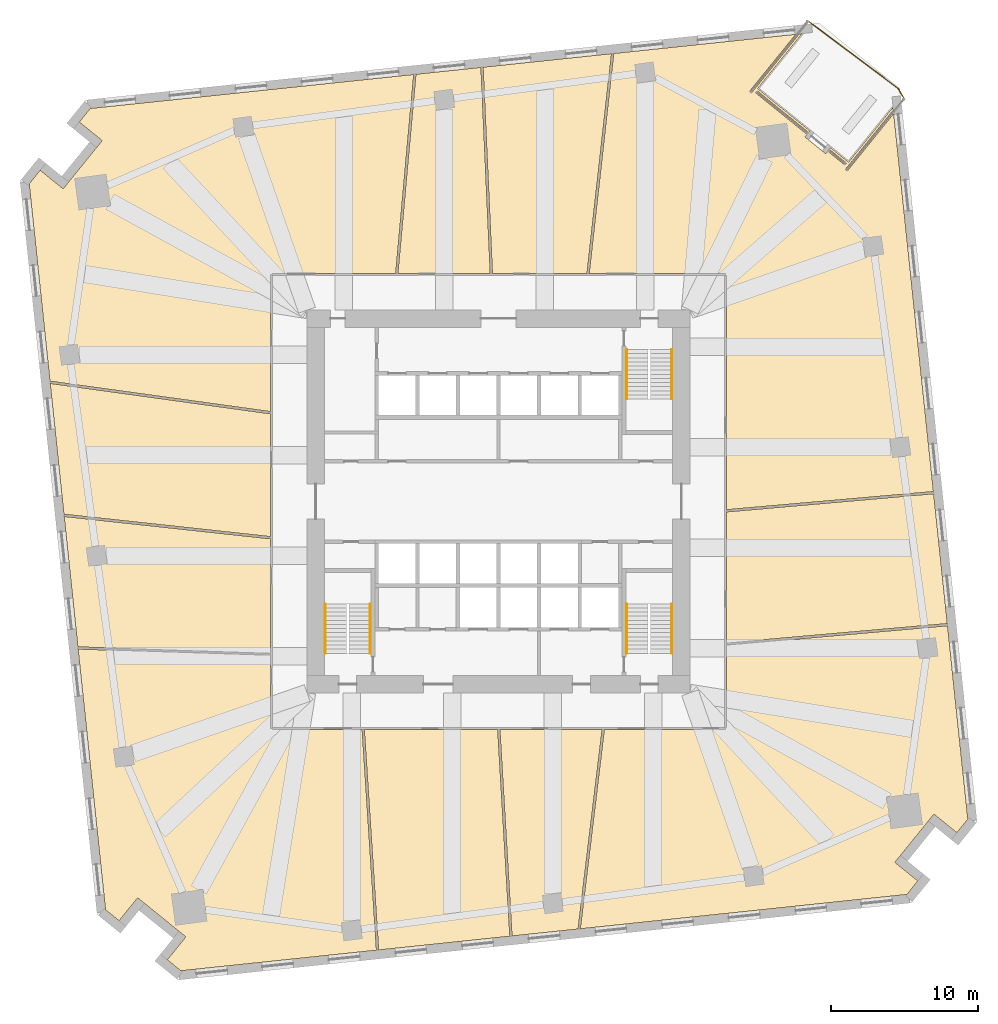
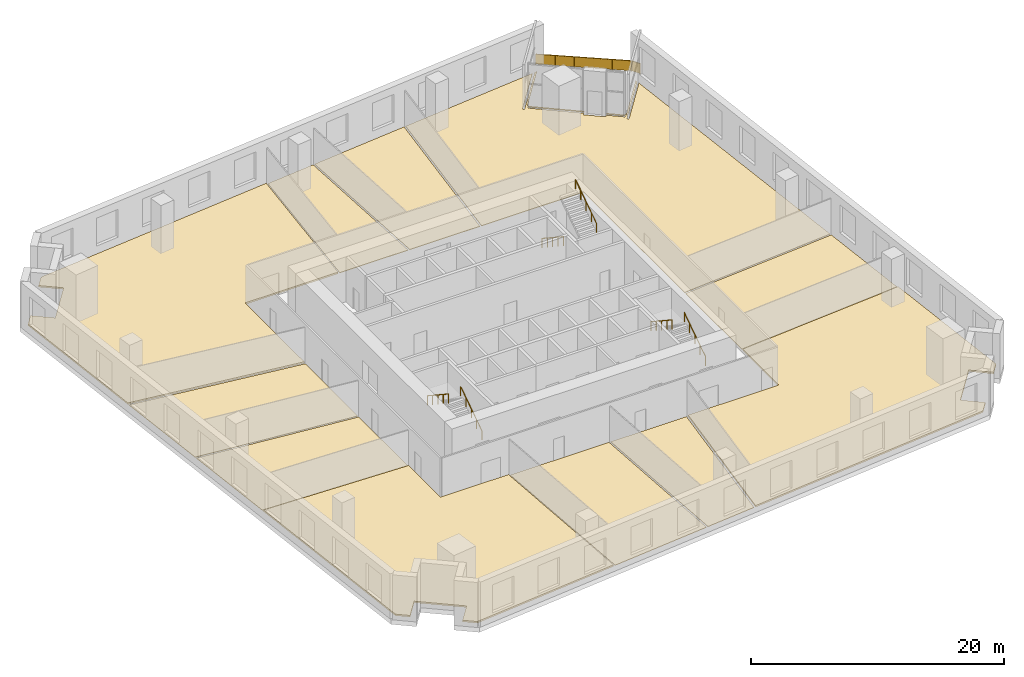
# One storey, part 9 of 10: 11 coverings, 7 railings.
"""IFC4 building model written with IfcOpenShell, lengths in metres."""

from ifc_helpers import new_model, si_unit, direction, frame, origin, origin_2d, place, context, subcontext, project, spatial, polyline, rectangle, circle, outline, extrude, material, layer, layer_set, type_object, element, save


model = new_model("IFC4")

# Units and contexts
model_context = context("Model", 3, precision=1e-05, world=origin(), true_north=direction((0.0, 1.0)))
body_context = subcontext(model_context, "Body", "Model", "MODEL_VIEW")
ifc_project = project(units=[si_unit("LENGTHUNIT", "METRE"), si_unit("AREAUNIT", "SQUARE_METRE"), si_unit("VOLUMEUNIT", "CUBIC_METRE"), si_unit("PLANEANGLEUNIT", "RADIAN"), si_unit("MASSUNIT", "GRAM", prefix="KILO")], contexts=[model_context])

# Site, building, storey
site_placement = place(None, origin())
site = spatial("IfcSite", under=ifc_project, at=site_placement, CompositionType="ELEMENT")
building_placement = place(site_placement, origin())
building = spatial("IfcBuilding", under=site, at=building_placement, Name="Dilmun Exchange Tower", CompositionType="ELEMENT")
storey_placement = place(building_placement, frame((0.0, 0.0, 41.699951171875)))
storey = spatial("IfcBuildingStorey", under=building, at=storey_placement, Name="L09", CompositionType="ELEMENT", Elevation=41.699951171875)

# Coverings
ifc_material_1 = material(Name="Carpet floor finish 50")
ifc_layer_1 = layer(ifc_material_1, 0.050048828125)
ifc_layer_set_1 = layer_set([ifc_layer_1], Name="Carpet floor finish 50")
covering_type_1 = type_object("IfcCoveringType", Name="Carpet floor finish 50", PredefinedType="FLOORING", material=ifc_layer_set_1)
covering_1_placement = place(storey_placement, origin())
element("IfcCovering", 1, at=covering_1_placement, inside=storey, type_object=covering_type_1, Name="Carpet floor finish 50 Broker office 1", PredefinedType="FLOORING", context=body_context, shape_type="SweptSolid", body=[
    extrude(outline(polyline([(-15.47509765625, 5.94482421875), (-15.47509765625, -2.381103515625), (-29.468994140625, -0.864990234375), (-30.4013671875, 8.004638671875), (-15.47509765625, 5.94482421875)])), origin(), (0.0, 0.0, 1.0), 0.050048828125),
])
covering_2_placement = place(storey_placement, origin())
element("IfcCovering", 2, at=covering_2_placement, inside=storey, type_object=covering_type_1, Name="Carpet floor finish 50 Trading support office 1", PredefinedType="FLOORING", context=body_context, shape_type="SweptSolid", body=[
    extrude(outline(polyline([(-15.47509765625, -2.531982421875), (-15.47509765625, -10.28662109375), (-28.5234375, -9.861083984375), (-29.452880859375, -1.017578125), (-15.47509765625, -2.531982421875)])), origin(), (0.0, 0.0, 1.0), 0.050048828125),
])
covering_3_placement = place(storey_placement, origin())
element("IfcCovering", 3, at=covering_3_placement, inside=storey, type_object=covering_type_1, Name="Carpet floor finish 50 Broker office 2", PredefinedType="FLOORING", context=body_context, shape_type="SweptSolid", body=[
    extrude(outline(polyline([(-9.098876953125, -15.47509765625), (-0.05712890625, -15.47509765625), (0.765869140625, -29.4794921875), (-8.12939453125, -30.414306640625), (-9.098876953125, -15.47509765625)])), origin(), (0.0, 0.0, 1.0), 0.050048828125),
])
covering_4_placement = place(storey_placement, origin())
element("IfcCovering", 4, at=covering_4_placement, inside=storey, type_object=covering_type_1, Name="Carpet floor finish 50 Broker office 3", PredefinedType="FLOORING", context=body_context, shape_type="SweptSolid", body=[
    extrude(outline(polyline([(-0.56298828125, 15.47509765625), (-6.822509765625, 15.47509765625), (-5.600830078125, 28.97119140625), (-1.194580078125, 29.434326171875), (-0.56298828125, 15.47509765625)])), origin(), (0.0, 0.0, 1.0), 0.050048828125),
])
covering_5_placement = place(storey_placement, origin())
element("IfcCovering", 5, at=covering_5_placement, inside=storey, type_object=covering_type_1, Name="Carpet floor finish 50 Broker office 4", PredefinedType="FLOORING", context=body_context, shape_type="SweptSolid", body=[
    extrude(outline(polyline([(5.997802734375, 15.47509765625), (-0.41259765625, 15.47509765625), (-1.045166015625, 29.4501953125), (7.659912109375, 30.364990234375), (5.997802734375, 15.47509765625)])), origin(), (0.0, 0.0, 1.0), 0.050048828125),
])
covering_6_placement = place(storey_placement, origin())
element("IfcCovering", 6, at=covering_6_placement, inside=storey, type_object=covering_type_1, Name="Carpet floor finish 50 Trading support office 2", PredefinedType="FLOORING", context=body_context, shape_type="SweptSolid", body=[
    extrude(outline(polyline([(0.093017578125, -15.47509765625), (7.022705078125, -15.47509765625), (5.392822265625, -28.9931640625), (0.915283203125, -29.463623046875), (0.093017578125, -15.47509765625)])), origin(), (0.0, 0.0, 1.0), 0.050048828125),
])
covering_7_placement = place(storey_placement, origin())
element("IfcCovering", 7, at=covering_7_placement, inside=storey, type_object=covering_type_1, Name="Carpet floor finish 50 Garden lounge", PredefinedType="FLOORING", context=body_context, shape_type="SweptSolid", body=[
    extrude(outline(polyline([(17.571044921875, 27.997314453125), (21.116455078125, 25.12646484375), (21.0263671875, 25.015380859375), (17.539306640625, 27.839111328125), (17.5390625, 27.839111328125), (17.5390625, 27.839111328125), (17.538818359375, 27.83935546875), (17.53857421875, 27.83935546875), (17.538330078125, 27.83935546875), (17.5380859375, 27.839599609375), (17.5380859375, 27.839599609375), (17.537841796875, 27.839599609375), (17.53759765625, 27.83935546875), (17.53759765625, 27.83935546875), (17.537353515625, 27.83935546875), (17.537109375, 27.839111328125), (17.536865234375, 27.839111328125), (17.536865234375, 27.839111328125), (17.53662109375, 27.8388671875), (17.53662109375, 27.838623046875), (17.435791015625, 27.71435546875), (17.435791015625, 27.714111328125), (17.435546875, 27.714111328125), (17.435546875, 27.7138671875), (17.435302734375, 27.713623046875), (17.435302734375, 27.71337890625), (17.435302734375, 27.71337890625), (17.435302734375, 27.713134765625), (17.435302734375, 27.712890625), (17.435302734375, 27.712646484375), (17.435302734375, 27.71240234375), (17.435546875, 27.71240234375), (17.435546875, 27.712158203125), (17.435791015625, 27.7119140625), (17.435791015625, 27.7119140625), (17.43603515625, 27.711669921875), (17.43603515625, 27.711669921875), (20.923095703125, 24.8876953125), (20.7861328125, 24.718505859375), (20.785888671875, 24.71826171875), (20.785888671875, 24.718017578125), (20.785888671875, 24.718017578125), (20.78564453125, 24.7177734375), (20.78564453125, 24.717529296875), (20.78564453125, 24.71728515625), (20.78564453125, 24.717041015625), (20.78564453125, 24.716796875), (20.78564453125, 24.716796875), (20.78564453125, 24.716552734375), (20.785888671875, 24.71630859375), (20.785888671875, 24.71630859375), (20.785888671875, 24.716064453125), (20.7861328125, 24.7158203125), (20.7861328125, 24.7158203125), (20.786376953125, 24.715576171875), (22.185302734375, 23.582763671875), (22.185302734375, 23.582763671875), (22.185546875, 23.58251953125), (22.185791015625, 23.58251953125), (22.185791015625, 23.58251953125), (22.18603515625, 23.58251953125), (22.186279296875, 23.58251953125), (22.1865234375, 23.58251953125), (22.186767578125, 23.58251953125), (22.18701171875, 23.58251953125), (22.18701171875, 23.58251953125), (22.187255859375, 23.58251953125), (22.1875, 23.58251953125), (22.1875, 23.582763671875), (22.187744140625, 23.582763671875), (22.18798828125, 23.5830078125), (22.18798828125, 23.5830078125), (22.3251953125, 23.75244140625), (23.48095703125, 22.816650390625), (23.481201171875, 22.816650390625), (23.481201171875, 22.81640625), (23.4814453125, 22.81640625), (23.481689453125, 22.81640625), (23.481689453125, 22.81640625), (23.48193359375, 22.816162109375), (23.482177734375, 22.816162109375), (23.482421875, 22.816162109375), (23.482666015625, 22.81640625), (23.482666015625, 22.81640625), (23.48291015625, 22.81640625), (23.483154296875, 22.81640625), (23.4833984375, 22.816650390625), (23.4833984375, 22.816650390625), (23.483642578125, 22.81689453125), (23.483642578125, 22.81689453125), (23.58447265625, 22.94140625), (23.58447265625, 22.94140625), (23.584716796875, 22.941650390625), (23.584716796875, 22.94189453125), (23.584716796875, 22.94189453125), (23.584716796875, 22.942138671875), (23.584716796875, 22.9423828125), (23.584716796875, 22.942626953125), (23.584716796875, 22.94287109375), (23.584716796875, 22.943115234375), (23.584716796875, 22.943115234375), (23.584716796875, 22.943359375), (23.584716796875, 22.943603515625), (23.58447265625, 22.943603515625), (23.58447265625, 22.94384765625), (23.584228515625, 22.944091796875), (23.583984375, 22.944091796875), (22.428466796875, 23.8798828125), (22.518310546875, 23.9912109375), (23.732421875, 23.008056640625), (26.75, 26.734619140625), (26.771240234375, 26.533447265625), (23.51318359375, 22.510009765625), (23.512939453125, 22.509765625), (23.512939453125, 22.509765625), (23.5126953125, 22.509521484375), (23.5126953125, 22.50927734375), (23.5126953125, 22.509033203125), (23.5126953125, 22.5087890625), (23.5126953125, 22.5087890625), (23.5126953125, 22.508544921875), (23.5126953125, 22.50830078125), (23.5126953125, 22.50830078125), (23.5126953125, 22.508056640625), (23.512939453125, 22.5078125), (23.512939453125, 22.507568359375), (23.51318359375, 22.507568359375), (23.51318359375, 22.50732421875), (23.513427734375, 22.507080078125), (23.6376953125, 22.406494140625), (23.637939453125, 22.406494140625), (23.637939453125, 22.40625), (23.63818359375, 22.40625), (23.638427734375, 22.406005859375), (23.638671875, 22.406005859375), (23.638916015625, 22.406005859375), (23.638916015625, 22.406005859375), (23.63916015625, 22.406005859375), (23.639404296875, 22.406005859375), (23.6396484375, 22.406005859375), (23.6396484375, 22.40625), (23.639892578125, 22.40625), (23.64013671875, 22.406494140625), (23.640380859375, 22.406494140625), (23.640380859375, 22.406494140625), (23.640380859375, 22.40673828125), (26.79541015625, 26.302734375), (29.4892578125, 0.672119140625), (15.47509765625, -0.5576171875), (15.47509765625, 15.47509765625), (6.148681640625, 15.47509765625), (7.8125, 30.381103515625), (20.156982421875, 31.678466796875), (17.002197265625, 27.78271484375), (17.001953125, 27.782470703125), (17.001953125, 27.7822265625), (17.001708984375, 27.781982421875), (17.001708984375, 27.781982421875), (17.001708984375, 27.78173828125), (17.001708984375, 27.781494140625), (17.001708984375, 27.78125), (17.001708984375, 27.781005859375), (17.001708984375, 27.781005859375), (17.001708984375, 27.78076171875), (17.001708984375, 27.780517578125), (17.001953125, 27.780517578125), (17.001953125, 27.7802734375), (17.002197265625, 27.780029296875), (17.002197265625, 27.77978515625), (17.00244140625, 27.77978515625), (17.126708984375, 27.67919921875), (17.126953125, 27.678955078125), (17.126953125, 27.678955078125), (17.127197265625, 27.6787109375), (17.12744140625, 27.6787109375), (17.127685546875, 27.6787109375), (17.127685546875, 27.6787109375), (17.1279296875, 27.6787109375), (17.128173828125, 27.6787109375), (17.12841796875, 27.6787109375), (17.128662109375, 27.6787109375), (17.128662109375, 27.6787109375), (17.12890625, 27.678955078125), (17.129150390625, 27.678955078125), (17.12939453125, 27.67919921875), (17.12939453125, 27.67919921875), (17.12939453125, 27.679443359375), (20.387451171875, 31.70263671875), (20.588623046875, 31.723876953125), (17.571044921875, 27.997314453125)])), origin(), (0.0, 0.0, 1.0), 0.050048828125),
])
covering_8_placement = place(storey_placement, origin())
element("IfcCovering", 8, at=covering_8_placement, inside=storey, type_object=covering_type_1, Name="Carpet floor finish 50 Trading support office 3", PredefinedType="FLOORING", context=body_context, shape_type="SweptSolid", body=[
    extrude(outline(polyline([(15.47509765625, -9.595947265625), (15.47509765625, -0.7080078125), (29.5048828125, 0.522705078125), (30.43017578125, -8.27880859375), (15.47509765625, -9.595947265625)])), origin(), (0.0, 0.0, 1.0), 0.050048828125),
])
ifc_material_2 = material(Name="Raised access floor 150")
ifc_layer_2 = layer(ifc_material_2, 0.14990234375)
ifc_layer_set_2 = layer_set([ifc_layer_2], Name="Raised access floor 150")
covering_type_2 = type_object("IfcCoveringType", Name="Raised access floor 150", PredefinedType="FLOORING", material=ifc_layer_set_2)
covering_9_placement = place(storey_placement, origin())
element("IfcCovering", 9, at=covering_9_placement, inside=storey, type_object=covering_type_2, Name="Raised access floor 150 Trading hall 1", PredefinedType="FLOORING", context=body_context, shape_type="SweptSolid", body=[
    extrude(outline(polyline([(-6.972900390625, 15.47509765625), (-15.47509765625, 15.47509765625), (-15.47509765625, 6.09619140625), (-30.41748046875, 8.158447265625), (-31.82421875, 21.542236328125), (-31.078857421875, 22.46240234375), (-29.526123046875, 21.205078125), (-29.52587890625, 21.204833984375), (-29.52587890625, 21.204833984375), (-29.525634765625, 21.20458984375), (-29.525390625, 21.20458984375), (-29.525390625, 21.20458984375), (-29.525146484375, 21.20458984375), (-29.52490234375, 21.20458984375), (-29.524658203125, 21.20458984375), (-29.5244140625, 21.20458984375), (-29.5244140625, 21.20458984375), (-29.524169921875, 21.20458984375), (-29.52392578125, 21.204833984375), (-29.523681640625, 21.204833984375), (-29.523681640625, 21.205078125), (-29.5234375, 21.205078125), (-29.523193359375, 21.205322265625), (-29.145751953125, 21.671630859375), (-29.145751953125, 21.671630859375), (-27.258056640625, 24.002685546875), (-27.258056640625, 24.002685546875), (-27.2578125, 24.0029296875), (-27.2578125, 24.0029296875), (-26.880126953125, 24.46923828125), (-26.8798828125, 24.469482421875), (-26.8798828125, 24.469482421875), (-26.8798828125, 24.4697265625), (-26.8798828125, 24.469970703125), (-26.879638671875, 24.47021484375), (-26.879638671875, 24.470458984375), (-26.879638671875, 24.470703125), (-26.879638671875, 24.470703125), (-26.879638671875, 24.470947265625), (-26.8798828125, 24.47119140625), (-26.8798828125, 24.47119140625), (-26.8798828125, 24.471435546875), (-26.8798828125, 24.4716796875), (-26.880126953125, 24.4716796875), (-26.88037109375, 24.471923828125), (-26.88037109375, 24.47216796875), (-28.43310546875, 25.7294921875), (-27.68798828125, 26.64990234375), (-5.7529296875, 28.955322265625), (-6.972900390625, 15.47509765625)])), origin(), (0.0, 0.0, 1.0), 0.150146484375),
])
covering_10_placement = place(storey_placement, origin())
element("IfcCovering", 10, at=covering_10_placement, inside=storey, type_object=covering_type_2, Name="Raised access floor 150 Dealing room", PredefinedType="FLOORING", context=body_context, shape_type="SweptSolid", body=[
    extrude(outline(polyline([(-15.47509765625, -10.4365234375), (-15.47509765625, -15.47509765625), (-9.2490234375, -15.47509765625), (-8.27880859375, -30.43017578125), (-21.542236328125, -31.82421875), (-22.46240234375, -31.078857421875), (-21.205078125, -29.526123046875), (-21.204833984375, -29.52587890625), (-21.204833984375, -29.52587890625), (-21.20458984375, -29.525634765625), (-21.20458984375, -29.525390625), (-21.20458984375, -29.525390625), (-21.20458984375, -29.525146484375), (-21.20458984375, -29.52490234375), (-21.20458984375, -29.524658203125), (-21.20458984375, -29.5244140625), (-21.20458984375, -29.5244140625), (-21.20458984375, -29.524169921875), (-21.204833984375, -29.52392578125), (-21.204833984375, -29.523681640625), (-21.205078125, -29.523681640625), (-21.205078125, -29.5234375), (-21.205322265625, -29.523193359375), (-21.671630859375, -29.145751953125), (-21.671630859375, -29.145751953125), (-24.002685546875, -27.258056640625), (-24.002685546875, -27.258056640625), (-24.0029296875, -27.2578125), (-24.0029296875, -27.2578125), (-24.46923828125, -26.880126953125), (-24.469482421875, -26.8798828125), (-24.469482421875, -26.8798828125), (-24.4697265625, -26.8798828125), (-24.469970703125, -26.8798828125), (-24.47021484375, -26.879638671875), (-24.470458984375, -26.879638671875), (-24.470703125, -26.879638671875), (-24.470703125, -26.879638671875), (-24.470947265625, -26.879638671875), (-24.47119140625, -26.8798828125), (-24.47119140625, -26.8798828125), (-24.471435546875, -26.8798828125), (-24.4716796875, -26.8798828125), (-24.4716796875, -26.880126953125), (-24.471923828125, -26.88037109375), (-24.47216796875, -26.88037109375), (-25.7294921875, -28.43310546875), (-26.64990234375, -27.68798828125), (-28.5078125, -10.01171875), (-15.47509765625, -10.4365234375)])), origin(), (0.0, 0.0, 1.0), 0.150146484375),
])
covering_11_placement = place(storey_placement, origin())
element("IfcCovering", 11, at=covering_11_placement, inside=storey, type_object=covering_type_2, Name="Raised access floor 150 Trading hall 2", PredefinedType="FLOORING", context=body_context, shape_type="SweptSolid", body=[
    extrude(outline(polyline([(7.173828125, -15.47509765625), (15.47509765625, -15.47509765625), (15.47509765625, -9.74658203125), (30.44580078125, -8.427978515625), (31.82421875, -21.542236328125), (31.078857421875, -22.46240234375), (29.526123046875, -21.205078125), (29.52587890625, -21.204833984375), (29.52587890625, -21.204833984375), (29.525634765625, -21.20458984375), (29.525390625, -21.20458984375), (29.525390625, -21.20458984375), (29.525146484375, -21.20458984375), (29.52490234375, -21.20458984375), (29.524658203125, -21.20458984375), (29.5244140625, -21.20458984375), (29.5244140625, -21.20458984375), (29.524169921875, -21.20458984375), (29.52392578125, -21.204833984375), (29.523681640625, -21.204833984375), (29.523681640625, -21.205078125), (29.5234375, -21.205078125), (29.523193359375, -21.205322265625), (29.145751953125, -21.671630859375), (29.145751953125, -21.671630859375), (27.258056640625, -24.002685546875), (27.258056640625, -24.002685546875), (27.2578125, -24.0029296875), (27.2578125, -24.0029296875), (26.880126953125, -24.46923828125), (26.8798828125, -24.469482421875), (26.8798828125, -24.469482421875), (26.8798828125, -24.4697265625), (26.8798828125, -24.469970703125), (26.879638671875, -24.47021484375), (26.879638671875, -24.470458984375), (26.879638671875, -24.470703125), (26.879638671875, -24.470703125), (26.879638671875, -24.470947265625), (26.8798828125, -24.47119140625), (26.8798828125, -24.47119140625), (26.8798828125, -24.471435546875), (26.8798828125, -24.4716796875), (26.880126953125, -24.4716796875), (26.88037109375, -24.471923828125), (26.88037109375, -24.47216796875), (28.43310546875, -25.7294921875), (27.68798828125, -26.64990234375), (5.5458984375, -28.97705078125), (7.173828125, -15.47509765625)])), origin(), (0.0, 0.0, 1.0), 0.150146484375),
])

# Railings
ifc_material_3 = material(Name="Stainless steel", Category="steel")
railing_type_1 = type_object("IfcRailingType", Name="Stair handrail 900", PredefinedType="HANDRAIL", material=ifc_material_3)
railing_1_placement = place(storey_placement, frame((8.699951171875, 10.300048828125, 0.1845703125)))
element("IfcRailing", 12, at=railing_1_placement, inside=storey, type_object=railing_type_1, Name="L09 ST1 stair handrail 1", PredefinedType="HANDRAIL", context=body_context, shape_type="SweptSolid", body=[
    extrude(circle(Radius=0.02392578125, at=origin_2d()), frame((0.0, 0.0, 0.8759765625), z_axis=(0.0, -0.834848600103, 0.550479622607), x_axis=(1.0, 0.0, 0.0)), (0.0, 0.0, 1.0), 4.02490234375),
    extrude(circle(Radius=0.02099609375, at=origin_2d()), origin(), (0.0, 0.0, 1.0), 0.851806640625),
    extrude(circle(Radius=0.02099609375, at=origin_2d()), frame((0.0, -0.840087890625, 0.553955078125)), (0.0, 0.0, 1.0), 0.851806640625),
    extrude(circle(Radius=0.02099609375, at=origin_2d()), frame((0.0, -1.68017578125, 1.10791015625)), (0.0, 0.0, 1.0), 0.851806640625),
    extrude(circle(Radius=0.02099609375, at=origin_2d()), frame((0.0, -2.52001953125, 1.66162109375)), (0.0, 0.0, 1.0), 0.851806640625),
    extrude(circle(Radius=0.02099609375, at=origin_2d()), frame((0.0, -3.360107421875, 2.215576171875)), (0.0, 0.0, 1.0), 0.851806640625),
])
railing_2_placement = place(storey_placement, frame((11.75, 6.93994140625, 2.584716796875)))
element("IfcRailing", 13, at=railing_2_placement, inside=storey, type_object=railing_type_1, Name="L09 ST1 stair handrail 2", PredefinedType="HANDRAIL", context=body_context, shape_type="SweptSolid", body=[
    extrude(circle(Radius=0.02392578125, at=origin_2d()), frame((0.0, 0.0, 0.8759765625), z_axis=(0.0, 0.834876476806, 0.550437342915), x_axis=(-1.0, 0.0, 0.0)), (0.0, 0.0, 1.0), 4.024658203125),
    extrude(circle(Radius=0.02099609375, at=origin_2d()), origin(), (0.0, 0.0, 1.0), 0.851806640625),
    extrude(circle(Radius=0.02099609375, at=origin_2d()), frame((0.0, 0.840087890625, 0.5537109375)), (0.0, 0.0, 1.0), 0.851806640625),
    extrude(circle(Radius=0.02099609375, at=origin_2d()), frame((0.0, 1.68017578125, 1.107666015625)), (0.0, 0.0, 1.0), 0.851806640625),
    extrude(circle(Radius=0.02099609375, at=origin_2d()), frame((0.0, 2.52001953125, 1.66162109375)), (0.0, 0.0, 1.0), 0.851806640625),
    extrude(circle(Radius=0.02099609375, at=origin_2d()), frame((0.0, 3.360107421875, 2.21533203125)), (0.0, 0.0, 1.0), 0.851806640625),
])
railing_3_placement = place(storey_placement, frame((-8.699951171875, -10.300048828125, 0.1845703125)))
element("IfcRailing", 14, at=railing_3_placement, inside=storey, type_object=railing_type_1, Name="L09 ST2 stair handrail 1", PredefinedType="HANDRAIL", context=body_context, shape_type="SweptSolid", body=[
    extrude(circle(Radius=0.02392578125, at=origin_2d()), frame((0.0, 0.0, 0.8759765625), z_axis=(0.0, 0.834848600103, 0.550479622607), x_axis=(-1.0, 0.0, 0.0)), (0.0, 0.0, 1.0), 4.02490234375),
    extrude(circle(Radius=0.02099609375, at=origin_2d()), origin(), (0.0, 0.0, 1.0), 0.851806640625),
    extrude(circle(Radius=0.02099609375, at=origin_2d()), frame((0.0, 0.840087890625, 0.553955078125)), (0.0, 0.0, 1.0), 0.851806640625),
    extrude(circle(Radius=0.02099609375, at=origin_2d()), frame((0.0, 1.68017578125, 1.10791015625)), (0.0, 0.0, 1.0), 0.851806640625),
    extrude(circle(Radius=0.02099609375, at=origin_2d()), frame((0.0, 2.52001953125, 1.66162109375)), (0.0, 0.0, 1.0), 0.851806640625),
    extrude(circle(Radius=0.02099609375, at=origin_2d()), frame((0.0, 3.360107421875, 2.215576171875)), (0.0, 0.0, 1.0), 0.851806640625),
])
railing_4_placement = place(storey_placement, frame((-11.75, -6.93994140625, 2.584716796875)))
element("IfcRailing", 15, at=railing_4_placement, inside=storey, type_object=railing_type_1, Name="L09 ST2 stair handrail 2", PredefinedType="HANDRAIL", context=body_context, shape_type="SweptSolid", body=[
    extrude(circle(Radius=0.02392578125, at=origin_2d()), frame((0.0, 0.0, 0.8759765625), z_axis=(0.0, -0.834876476806, 0.550437342915), x_axis=(1.0, 0.0, 0.0)), (0.0, 0.0, 1.0), 4.024658203125),
    extrude(circle(Radius=0.02099609375, at=origin_2d()), origin(), (0.0, 0.0, 1.0), 0.851806640625),
    extrude(circle(Radius=0.02099609375, at=origin_2d()), frame((0.0, -0.840087890625, 0.5537109375)), (0.0, 0.0, 1.0), 0.851806640625),
    extrude(circle(Radius=0.02099609375, at=origin_2d()), frame((0.0, -1.68017578125, 1.107666015625)), (0.0, 0.0, 1.0), 0.851806640625),
    extrude(circle(Radius=0.02099609375, at=origin_2d()), frame((0.0, -2.52001953125, 1.66162109375)), (0.0, 0.0, 1.0), 0.851806640625),
    extrude(circle(Radius=0.02099609375, at=origin_2d()), frame((0.0, -3.360107421875, 2.21533203125)), (0.0, 0.0, 1.0), 0.851806640625),
])
railing_5_placement = place(storey_placement, frame((11.75, -10.300048828125, 0.1845703125)))
element("IfcRailing", 16, at=railing_5_placement, inside=storey, type_object=railing_type_1, Name="L09 ST3 stair handrail 1", PredefinedType="HANDRAIL", context=body_context, shape_type="SweptSolid", body=[
    extrude(circle(Radius=0.02392578125, at=origin_2d()), frame((0.0, 0.0, 0.8759765625), z_axis=(0.0, 0.834848600103, 0.550479622607), x_axis=(-1.0, 0.0, 0.0)), (0.0, 0.0, 1.0), 4.02490234375),
    extrude(circle(Radius=0.02099609375, at=origin_2d()), origin(), (0.0, 0.0, 1.0), 0.851806640625),
    extrude(circle(Radius=0.02099609375, at=origin_2d()), frame((0.0, 0.840087890625, 0.553955078125)), (0.0, 0.0, 1.0), 0.851806640625),
    extrude(circle(Radius=0.02099609375, at=origin_2d()), frame((0.0, 1.68017578125, 1.10791015625)), (0.0, 0.0, 1.0), 0.851806640625),
    extrude(circle(Radius=0.02099609375, at=origin_2d()), frame((0.0, 2.52001953125, 1.66162109375)), (0.0, 0.0, 1.0), 0.851806640625),
    extrude(circle(Radius=0.02099609375, at=origin_2d()), frame((0.0, 3.360107421875, 2.215576171875)), (0.0, 0.0, 1.0), 0.851806640625),
])
railing_6_placement = place(storey_placement, frame((8.699951171875, -6.93994140625, 2.584716796875)))
element("IfcRailing", 17, at=railing_6_placement, inside=storey, type_object=railing_type_1, Name="L09 ST3 stair handrail 2", PredefinedType="HANDRAIL", context=body_context, shape_type="SweptSolid", body=[
    extrude(circle(Radius=0.02392578125, at=origin_2d()), frame((0.0, 0.0, 0.8759765625), z_axis=(0.0, -0.834876476806, 0.550437342915), x_axis=(1.0, 0.0, 0.0)), (0.0, 0.0, 1.0), 4.024658203125),
    extrude(circle(Radius=0.02099609375, at=origin_2d()), origin(), (0.0, 0.0, 1.0), 0.851806640625),
    extrude(circle(Radius=0.02099609375, at=origin_2d()), frame((0.0, -0.840087890625, 0.5537109375)), (0.0, 0.0, 1.0), 0.851806640625),
    extrude(circle(Radius=0.02099609375, at=origin_2d()), frame((0.0, -1.68017578125, 1.107666015625)), (0.0, 0.0, 1.0), 0.851806640625),
    extrude(circle(Radius=0.02099609375, at=origin_2d()), frame((0.0, -2.52001953125, 1.66162109375)), (0.0, 0.0, 1.0), 0.851806640625),
    extrude(circle(Radius=0.02099609375, at=origin_2d()), frame((0.0, -3.360107421875, 2.21533203125)), (0.0, 0.0, 1.0), 0.851806640625),
])
railing_type_2 = type_object("IfcRailingType", Name="Terrace guard 1100 stainless steel", PredefinedType="GUARDRAIL", material=ifc_material_3)
railing_7_placement = place(storey_placement, frame((20.996826171875, 32.58544921875, 0.0)))
element("IfcRailing", 18, at=railing_7_placement, inside=storey, type_object=railing_type_2, Name="Terrace guard 1", PredefinedType="GUARDRAIL", context=body_context, shape_type="SweptSolid", body=[
    extrude(circle(Radius=0.02392578125, at=origin_2d()), frame((0.0, 0.0, 1.076171875), z_axis=(0.799366684391, -0.60084349367, 0.0), x_axis=(0.60084349367, 0.799366684391, 0.0)), (0.0, 0.0, 1.0), 7.63818359375),
    extrude(rectangle(XDim=0.011962890625, YDim=0.951904296875, at=origin_2d()), frame((0.0, 0.0, 0.576171875), z_axis=(0.799366684391, -0.60084349367, 0.0), x_axis=(0.60084349367, 0.799366684391, 0.0)), (0.0, 0.0, 1.0), 7.63818359375),
    extrude(circle(Radius=0.02392578125, at=origin_2d()), frame((6.105712890625, -4.58935546875, 1.076171875), z_axis=(0.510105595522, -0.860111784257, 0.0), x_axis=(0.860111784257, 0.510105595522, 0.0)), (0.0, 0.0, 1.0), 0.79443359375),
    extrude(rectangle(XDim=0.011962890625, YDim=0.951904296875, at=origin_2d()), frame((6.105712890625, -4.58935546875, 0.576171875), z_axis=(0.510105595522, -0.860111784257, 0.0), x_axis=(0.860111784257, 0.510105595522, 0.0)), (0.0, 0.0, 1.0), 0.79443359375),
    extrude(circle(Radius=0.02099609375, at=origin_2d()), origin(), (0.0, 0.0, 1.0), 1.052001953125),
    extrude(circle(Radius=0.02099609375, at=origin_2d()), frame((1.22119140625, -0.91796875, 0.0)), (0.0, 0.0, 1.0), 1.052001953125),
    extrude(circle(Radius=0.02099609375, at=origin_2d()), frame((2.4423828125, -1.835693359375, 0.0)), (0.0, 0.0, 1.0), 1.052001953125),
    extrude(circle(Radius=0.02099609375, at=origin_2d()), frame((3.663330078125, -2.753662109375, 0.0)), (0.0, 0.0, 1.0), 1.052001953125),
    extrude(circle(Radius=0.02099609375, at=origin_2d()), frame((4.884521484375, -3.67138671875, 0.0)), (0.0, 0.0, 1.0), 1.052001953125),
    extrude(circle(Radius=0.02099609375, at=origin_2d()), frame((6.105712890625, -4.58935546875, 0.0)), (0.0, 0.0, 1.0), 1.052001953125),
    extrude(circle(Radius=0.02099609375, at=origin_2d()), frame((6.510986328125, -5.272705078125, 0.0)), (0.0, 0.0, 1.0), 1.052001953125),
])

save(model, "model.ifc")
